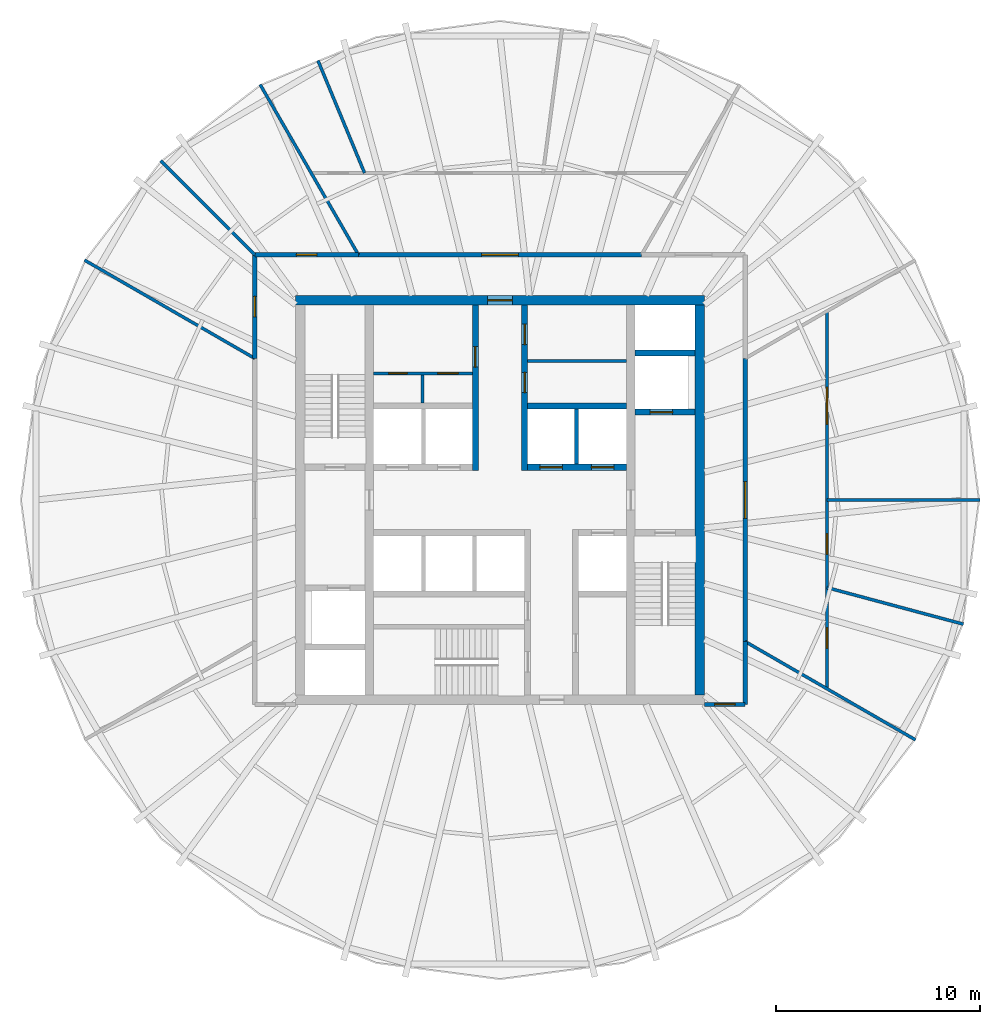
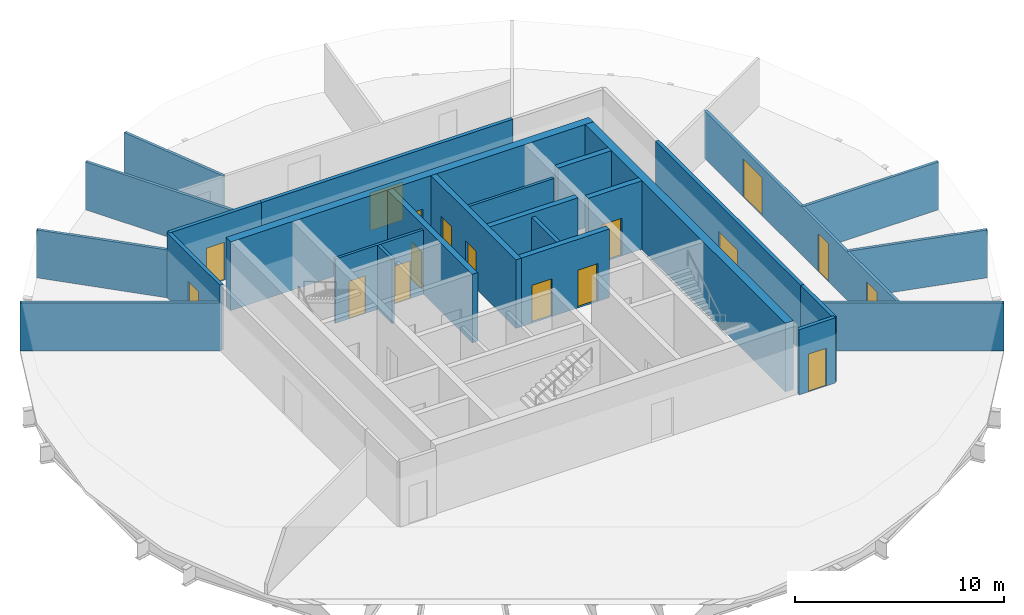
# One storey, part 4 of 6: 26 walls, 17 doors, 17 openings.
"""IFC4 building model written with IfcOpenShell, lengths in metres."""

from ifc_helpers import new_model, si_unit, direction, frame, frame_2d, origin, place, context, subcontext, project, spatial, rectangle, extrude, material, layer, layer_set, type_object, element, fill, save


model = new_model("IFC4")

# Units and contexts
model_context = context("Model", 3, precision=1e-05, world=origin(), true_north=direction((0.0, 1.0)))
body_context = subcontext(model_context, "Body", "Model", "MODEL_VIEW")
ifc_project = project(units=[si_unit("LENGTHUNIT", "METRE"), si_unit("AREAUNIT", "SQUARE_METRE"), si_unit("VOLUMEUNIT", "CUBIC_METRE"), si_unit("PLANEANGLEUNIT", "RADIAN"), si_unit("MASSUNIT", "GRAM", prefix="KILO")], contexts=[model_context])

# Site, building, storey
site_placement = place(None, origin())
site = spatial("IfcSite", under=ifc_project, at=site_placement, CompositionType="ELEMENT")
building_placement = place(site_placement, origin())
building = spatial("IfcBuilding", under=site, at=building_placement, Name="Golbaran Civic Tower", CompositionType="ELEMENT")
storey_placement = place(building_placement, frame((0.0, 0.0, 203.0)))
storey = spatial("IfcBuildingStorey", under=building, at=storey_placement, Name="L49", CompositionType="ELEMENT", Elevation=203.0)

# Wall
ifc_material_1 = material(Name="Concrete block", Category="concrete")
ifc_layer_1 = layer(ifc_material_1, 0.14990234375, Name="Concrete block")
ifc_layer_set_1 = layer_set([ifc_layer_1], Name="Concrete block")
wall_type_1 = type_object("IfcWallType", Name="BLOCKWORK PARTITION 150", PredefinedType="PARTITIONING", material=ifc_layer_set_1)
wall_1_placement = place(storey_placement, frame((1.35009765625, 6.800048828125, 0.0), z_axis=(0.0, 0.0, 1.0), x_axis=(1.0, 0.0, 0.0)))
element("IfcWall", 1, at=wall_1_placement, inside=storey, type_object=wall_type_1, Name="Toilet block partition TN1 L49", PredefinedType="PARTITIONING", context=body_context, shape_type="SweptSolid", body=[
    extrude(rectangle(XDim=4.849853515625, YDim=0.14990234375, at=frame_2d((2.4248046875, 0.0))), origin(), (0.0, 0.0, 1.0), 3.75),
])

# Wall, opening, door
ifc_material_2 = material(Name="Concrete C50/60", Category="concrete")
ifc_layer_2 = layer(ifc_material_2, 0.449951171875, Name="Concrete C50/60")
ifc_layer_set_2 = layer_set([ifc_layer_2], Name="Concrete C50/60")
wall_type_2 = type_object("IfcWallType", Name="CORE WALL CONCRETE 450", PredefinedType="SOLIDWALL", material=ifc_layer_set_2)
wall_2_placement = place(storey_placement, frame((-10.0, 9.77490234375, 0.0), z_axis=(0.0, 0.0, 1.0), x_axis=(1.0, 0.0, 0.0)))
wall_2 = element("IfcWall", 2, at=wall_2_placement, inside=storey, type_object=wall_type_2, Name="Core wall CN L49", PredefinedType="SOLIDWALL", context=body_context, shape_type="SweptSolid", body=[
    extrude(rectangle(XDim=20.0, YDim=0.449951171875, at=frame_2d((10.0, 0.0))), origin(), (0.0, 0.0, 1.0), 4.0),
])
opening_1_placement = place(wall_2_placement, frame((9.39990234375, 0.0, 0.0)))
opening_1 = element("IfcOpeningElement", 3, at=opening_1_placement, cuts=wall_2, Name="Opening L49.CN", PredefinedType="OPENING", context=body_context, shape_type="SweptSolid", body=[
    extrude(rectangle(XDim=1.199951171875, YDim=2.199951171875, at=frame_2d((0.60009765625, 1.10009765625))), frame((0.0, 0.23486328125, 0.0), z_axis=(0.0, -1.0, 0.0), x_axis=(1.0, 0.0, 0.0)), (0.0, 0.0, 1.0), 0.469970703125),
])
ifc_material_3 = material(Name="Timber door set in steel frame", Category="steel")
door_type_1 = type_object("IfcDoorType", Name="CORE DOOR 1200x2200", OperationType="DOUBLE_DOOR_SINGLE_SWING", PredefinedType="DOOR", material=ifc_material_3)
door_1_placement = place(opening_1_placement, origin())
door_1 = element("IfcDoor", 4, at=door_1_placement, inside=storey, type_object=door_type_1, Name="Core door north", OperationType="DOUBLE_DOOR_SINGLE_SWING", OverallHeight=2.199951171875, OverallWidth=1.199951171875, PredefinedType="DOOR", context=body_context, shape_type="SweptSolid", body=[
    extrude(rectangle(XDim=1.199951171875, YDim=2.199951171875, at=frame_2d((0.60009765625, 1.10009765625))), frame((0.0, 0.02490234375, 0.0), z_axis=(0.0, -1.0, 0.0), x_axis=(1.0, 0.0, 0.0)), (0.0, 0.0, 1.0), 0.050048828125),
])
fill(opening_1, door_1)

# Wall
wall_3_placement = place(storey_placement, frame((9.77490234375, -9.550048828125, 0.0), z_axis=(0.0, 0.0, 1.0), x_axis=(0.0, 1.0, 0.0)))
element("IfcWall", 5, at=wall_3_placement, inside=storey, type_object=wall_type_2, Name="Core wall CE L49", PredefinedType="SOLIDWALL", context=body_context, shape_type="SweptSolid", body=[
    extrude(rectangle(XDim=19.10009765625, YDim=0.449951171875, at=frame_2d((9.550048828125, 0.0))), origin(), (0.0, 0.0, 1.0), 4.0),
])

# Wall, opening, door
ifc_material_4 = material(Name="Gypsum board on steel studs, fire-rated", Category="steel")
ifc_layer_3 = layer(ifc_material_4, 0.199951171875, Name="Gypsum board on steel studs, fire-rated")
ifc_layer_set_3 = layer_set([ifc_layer_3], Name="Gypsum board on steel studs, fire-rated")
wall_type_3 = type_object("IfcWallType", Name="CORRIDOR WALL 200", PredefinedType="PARTITIONING", material=ifc_layer_set_3)
wall_4_placement = place(storey_placement, frame((12.0, -6.92822265625, 0.0), z_axis=(0.0, 0.0, 1.0), x_axis=(0.0, 1.0, 0.0)))
wall_4 = element("IfcWall", 6, at=wall_4_placement, inside=storey, type_object=wall_type_3, Name="Corridor wall L49", PredefinedType="PARTITIONING", context=body_context, shape_type="SweptSolid", body=[
    extrude(rectangle(XDim=13.8564453125, YDim=0.199951171875, at=frame_2d((6.92822265625, 0.0))), origin(), (0.0, 0.0, 1.0), 3.800048828125),
])
opening_2_placement = place(wall_4_placement, frame((6.0283203125, 0.0, 0.0)))
opening_2 = element("IfcOpeningElement", 7, at=opening_2_placement, cuts=wall_4, Name="Opening L49.07", PredefinedType="OPENING", context=body_context, shape_type="SweptSolid", body=[
    extrude(rectangle(XDim=1.800048828125, YDim=2.199951171875, at=frame_2d((0.89990234375, 1.10009765625))), frame((0.0, 0.10986328125, 0.0), z_axis=(0.0, -1.0, 0.0), x_axis=(1.0, 0.0, 0.0)), (0.0, 0.0, 1.0), 0.219970703125),
])
door_type_2 = type_object("IfcDoorType", Name="OFFICE DOUBLE DOOR 1800x2200", OperationType="DOUBLE_DOOR_SINGLE_SWING", PredefinedType="DOOR", material=ifc_material_3)
door_2_placement = place(opening_2_placement, origin())
door_2 = element("IfcDoor", 8, at=door_2_placement, inside=storey, type_object=door_type_2, Name="Open Office door L49", OperationType="DOUBLE_DOOR_SINGLE_SWING", OverallHeight=2.199951171875, OverallWidth=1.800048828125, PredefinedType="DOOR", context=body_context, shape_type="SweptSolid", body=[
    extrude(rectangle(XDim=1.800048828125, YDim=2.199951171875, at=frame_2d((0.89990234375, 1.10009765625))), frame((0.0, 0.02490234375, 0.0), z_axis=(0.0, -1.0, 0.0), x_axis=(1.0, 0.0, 0.0)), (0.0, 0.0, 1.0), 0.050048828125),
])
fill(opening_2, door_2)

wall_5_placement = place(storey_placement, frame((6.92822265625, 12.0, 0.0), z_axis=(0.0, 0.0, 1.0), x_axis=(-1.0, 0.0, 0.0)))
wall_5 = element("IfcWall", 9, at=wall_5_placement, inside=storey, type_object=wall_type_3, Name="Corridor wall L49", PredefinedType="PARTITIONING", context=body_context, shape_type="SweptSolid", body=[
    extrude(rectangle(XDim=13.8564453125, YDim=0.199951171875, at=frame_2d((6.92822265625, 0.0))), origin(), (0.0, 0.0, 1.0), 3.800048828125),
])
opening_3_placement = place(wall_5_placement, frame((6.0283203125, 0.0, 0.0)))
opening_3 = element("IfcOpeningElement", 10, at=opening_3_placement, cuts=wall_5, Name="Opening L49.09", PredefinedType="OPENING", context=body_context, shape_type="SweptSolid", body=[
    extrude(rectangle(XDim=1.800048828125, YDim=2.199951171875, at=frame_2d((0.89990234375, 1.10009765625))), frame((0.0, 0.10986328125, 0.0), z_axis=(0.0, -1.0, 0.0), x_axis=(1.0, 0.0, 0.0)), (0.0, 0.0, 1.0), 0.219970703125),
])
door_3_placement = place(opening_3_placement, origin())
door_3 = element("IfcDoor", 11, at=door_3_placement, inside=storey, type_object=door_type_2, Name="Secretariat door L49", OperationType="DOUBLE_DOOR_SINGLE_SWING", OverallHeight=2.199951171875, OverallWidth=1.800048828125, PredefinedType="DOOR", context=body_context, shape_type="SweptSolid", body=[
    extrude(rectangle(XDim=1.800048828125, YDim=2.199951171875, at=frame_2d((0.89990234375, 1.10009765625))), frame((0.0, 0.02490234375, 0.0), z_axis=(0.0, -1.0, 0.0), x_axis=(1.0, 0.0, 0.0)), (0.0, 0.0, 1.0), 0.050048828125),
])
fill(opening_3, door_3)

wall_6_placement = place(storey_placement, frame((-6.92822265625, 12.0, 0.0), z_axis=(0.0, 0.0, 1.0), x_axis=(-1.0, 0.0, 0.0)))
wall_6 = element("IfcWall", 12, at=wall_6_placement, inside=storey, type_object=wall_type_3, Name="Corridor wall L49", PredefinedType="PARTITIONING", context=body_context, shape_type="SweptSolid", body=[
    extrude(rectangle(XDim=5.07177734375, YDim=0.199951171875, at=frame_2d((2.535888671875, 0.0))), origin(), (0.0, 0.0, 1.0), 3.800048828125),
])
opening_4_placement = place(wall_6_placement, frame((2.035888671875, 0.0, 0.0)))
opening_4 = element("IfcOpeningElement", 13, at=opening_4_placement, cuts=wall_6, Name="Opening L49.10", PredefinedType="OPENING", context=body_context, shape_type="SweptSolid", body=[
    extrude(rectangle(XDim=1.0, YDim=2.199951171875, at=frame_2d((0.5, 1.10009765625))), frame((0.0, 0.10986328125, 0.0), z_axis=(0.0, -1.0, 0.0), x_axis=(1.0, 0.0, 0.0)), (0.0, 0.0, 1.0), 0.219970703125),
])
door_type_3 = type_object("IfcDoorType", Name="OFFICE DOOR 1000x2200", OperationType="SINGLE_SWING_LEFT", PredefinedType="DOOR", material=ifc_material_3)
door_4_placement = place(opening_4_placement, origin())
door_4 = element("IfcDoor", 14, at=door_4_placement, inside=storey, type_object=door_type_3, Name="Office door L49", OperationType="SINGLE_SWING_RIGHT", OverallHeight=2.199951171875, OverallWidth=1.0, PredefinedType="DOOR", context=body_context, shape_type="SweptSolid", body=[
    extrude(rectangle(XDim=1.0, YDim=2.199951171875, at=frame_2d((0.5, 1.10009765625))), frame((0.0, 0.02490234375, 0.0), z_axis=(0.0, -1.0, 0.0), x_axis=(1.0, 0.0, 0.0)), (0.0, 0.0, 1.0), 0.050048828125),
])
fill(opening_4, door_4)

wall_7_placement = place(storey_placement, frame((-12.0, 12.0, 0.0), z_axis=(0.0, 0.0, 1.0), x_axis=(0.0, -1.0, 0.0)))
wall_7 = element("IfcWall", 15, at=wall_7_placement, inside=storey, type_object=wall_type_3, Name="Corridor wall L49", PredefinedType="PARTITIONING", context=body_context, shape_type="SweptSolid", body=[
    extrude(rectangle(XDim=5.07177734375, YDim=0.199951171875, at=frame_2d((2.535888671875, 0.0))), origin(), (0.0, 0.0, 1.0), 3.800048828125),
])
opening_5_placement = place(wall_7_placement, frame((2.035888671875, 0.0, 0.0)))
opening_5 = element("IfcOpeningElement", 16, at=opening_5_placement, cuts=wall_7, Name="Opening L49.11", PredefinedType="OPENING", context=body_context, shape_type="SweptSolid", body=[
    extrude(rectangle(XDim=1.0, YDim=2.199951171875, at=frame_2d((0.5, 1.10009765625))), frame((0.0, 0.10986328125, 0.0), z_axis=(0.0, -1.0, 0.0), x_axis=(1.0, 0.0, 0.0)), (0.0, 0.0, 1.0), 0.219970703125),
])
door_5_placement = place(opening_5_placement, origin())
door_5 = element("IfcDoor", 17, at=door_5_placement, inside=storey, type_object=door_type_3, Name="Store door L49", OperationType="SINGLE_SWING_RIGHT", OverallHeight=2.199951171875, OverallWidth=1.0, PredefinedType="DOOR", context=body_context, shape_type="SweptSolid", body=[
    extrude(rectangle(XDim=1.0, YDim=2.199951171875, at=frame_2d((0.5, 1.10009765625))), frame((0.0, 0.02490234375, 0.0), z_axis=(0.0, -1.0, 0.0), x_axis=(1.0, 0.0, 0.0)), (0.0, 0.0, 1.0), 0.050048828125),
])
fill(opening_5, door_5)

# Wall
wall_8_placement = place(storey_placement, frame((12.0, -10.0, 0.0), z_axis=(0.0, 0.0, 1.0), x_axis=(0.0, 1.0, 0.0)))
element("IfcWall", 18, at=wall_8_placement, inside=storey, type_object=wall_type_3, Name="Corridor wall L49", PredefinedType="PARTITIONING", context=body_context, shape_type="SweptSolid", body=[
    extrude(rectangle(XDim=3.07177734375, YDim=0.199951171875, at=frame_2d((1.535888671875, 0.0))), origin(), (0.0, 0.0, 1.0), 3.800048828125),
])

# Wall, opening, door
wall_9_placement = place(storey_placement, frame((10.0, -10.0, 0.0), z_axis=(0.0, 0.0, 1.0), x_axis=(1.0, 0.0, 0.0)))
wall_9 = element("IfcWall", 19, at=wall_9_placement, inside=storey, type_object=wall_type_3, Name="Corridor end wall L49", PredefinedType="PARTITIONING", context=body_context, shape_type="SweptSolid", body=[
    extrude(rectangle(XDim=2.0, YDim=0.199951171875, at=frame_2d((1.0, 0.0))), origin(), (0.0, 0.0, 1.0), 3.800048828125),
])
opening_6_placement = place(wall_9_placement, frame((0.5, 0.0, 0.0)))
opening_6 = element("IfcOpeningElement", 20, at=opening_6_placement, cuts=wall_9, Name="Opening L49.15", PredefinedType="OPENING", context=body_context, shape_type="SweptSolid", body=[
    extrude(rectangle(XDim=1.0, YDim=2.199951171875, at=frame_2d((0.5, 1.10009765625))), frame((0.0, 0.10986328125, 0.0), z_axis=(0.0, -1.0, 0.0), x_axis=(1.0, 0.0, 0.0)), (0.0, 0.0, 1.0), 0.219970703125),
])
door_6_placement = place(opening_6_placement, origin())
door_6 = element("IfcDoor", 21, at=door_6_placement, inside=storey, type_object=door_type_3, Name="Open Office door L49", OperationType="SINGLE_SWING_LEFT", OverallHeight=2.199951171875, OverallWidth=1.0, PredefinedType="DOOR", context=body_context, shape_type="SweptSolid", body=[
    extrude(rectangle(XDim=1.0, YDim=2.199951171875, at=frame_2d((0.5, 1.10009765625))), frame((0.0, 0.02490234375, 0.0), z_axis=(0.0, -1.0, 0.0), x_axis=(1.0, 0.0, 0.0)), (0.0, 0.0, 1.0), 0.050048828125),
])
fill(opening_6, door_6)

# Walls
ifc_layer_4 = layer(ifc_material_1, 0.199951171875, Name="Concrete block")
ifc_layer_set_4 = layer_set([ifc_layer_4], Name="Concrete block")
wall_type_4 = type_object("IfcWallType", Name="LIFT SEPARATOR WALL 200", PredefinedType="SOLIDWALL", material=ifc_layer_set_4)
wall_10_placement = place(storey_placement, frame((3.75, 1.75, 0.0), z_axis=(0.0, 0.0, 1.0), x_axis=(0.0, 1.0, 0.0)))
element("IfcWall", 22, at=wall_10_placement, inside=storey, type_object=wall_type_4, Name="Core partition SNE L49", PredefinedType="SOLIDWALL", context=body_context, shape_type="SweptSolid", body=[
    extrude(rectangle(XDim=2.699951171875, YDim=0.199951171875, at=frame_2d((1.35009765625, 0.0))), origin(), (0.0, 0.0, 1.0), 3.75),
])
ifc_material_5 = material(Name="Gypsum board on steel studs", Category="steel")
ifc_layer_5 = layer(ifc_material_5, 0.14990234375, Name="Gypsum board on steel studs")
ifc_layer_set_5 = layer_set([ifc_layer_5], Name="Gypsum board on steel studs")
wall_type_5 = type_object("IfcWallType", Name="OFFICE PARTITION 150", PredefinedType="PARTITIONING", material=ifc_layer_set_5)
for number, where, z_axis, x_axis, name in (
    (23, (12.0, -6.92822265625, 0.0), (0.0, 0.0, 1.0), (0.866030904871, -0.499990471717, 0.0), "Partition 330 L49"),
    (24, (-6.92822265625, 12.0, 0.0), (0.0, 0.0, 1.0), (-0.499990471717, 0.866030904871, 0.0), "Partition 120 L49"),
):
    element("IfcWall", number, at=place(storey_placement, frame(where, z_axis=z_axis, x_axis=x_axis)), inside=storey, type_object=wall_type_5, Name=name, PredefinedType="PARTITIONING", context=body_context, shape_type="SweptSolid", body=[
        extrude(rectangle(XDim=9.619873046875, YDim=0.14990234375, at=frame_2d((4.81005859375, 0.0))), origin(), (0.0, 0.0, 1.0), 2.7900390625),
    ])
wall_11_placement = place(storey_placement, frame((-12.0, 12.0, 0.0), z_axis=(0.0, 0.0, 1.0), x_axis=(-0.707106781187, 0.707106781187, 0.0)))
element("IfcWall", 25, at=wall_11_placement, inside=storey, type_object=wall_type_5, Name="Partition 135 L49", PredefinedType="PARTITIONING", context=body_context, shape_type="SweptSolid", body=[
    extrude(rectangle(XDim=6.505615234375, YDim=0.14990234375, at=frame_2d((3.2529296875, 0.0))), origin(), (0.0, 0.0, 1.0), 2.7900390625),
])
wall_12_placement = place(storey_placement, frame((-12.0, 6.92822265625, 0.0), z_axis=(0.0, 0.0, 1.0), x_axis=(-0.866030904871, 0.499990471717, 0.0)))
element("IfcWall", 26, at=wall_12_placement, inside=storey, type_object=wall_type_5, Name="Partition 150 L49", PredefinedType="PARTITIONING", context=body_context, shape_type="SweptSolid", body=[
    extrude(rectangle(XDim=9.619873046875, YDim=0.14990234375, at=frame_2d((4.81005859375, 0.0))), origin(), (0.0, 0.0, 1.0), 2.7900390625),
])

# Wall, openings, doors
wall_13_placement = place(storey_placement, frame((16.0, -9.237548828125, 0.0), z_axis=(0.0, 0.0, 1.0), x_axis=(0.0, 1.0, 0.0)))
wall_13 = element("IfcWall", 27, at=wall_13_placement, inside=storey, type_object=wall_type_5, Name="Suite partition L49", PredefinedType="PARTITIONING", context=body_context, shape_type="SweptSolid", body=[
    extrude(rectangle(XDim=18.47509765625, YDim=0.14990234375, at=frame_2d((9.237548828125, 0.0))), origin(), (0.0, 0.0, 1.0), 2.7900390625),
])
opening_7_placement = place(wall_13_placement, frame((1.97509765625, 0.0, 0.0)))
opening_7 = element("IfcOpeningElement", 28, at=opening_7_placement, cuts=wall_13, Name="Opening L49.01", PredefinedType="OPENING", context=body_context, shape_type="SweptSolid", body=[
    extrude(rectangle(XDim=1.0, YDim=2.199951171875, at=frame_2d((0.5, 1.10009765625))), frame((0.0, 0.0849609375, 0.0), z_axis=(0.0, -1.0, 0.0), x_axis=(1.0, 0.0, 0.0)), (0.0, 0.0, 1.0), 0.169921875),
])
opening_8_placement = place(wall_13_placement, frame((6.593994140625, 0.0, 0.0)))
opening_8 = element("IfcOpeningElement", 29, at=opening_8_placement, cuts=wall_13, Name="Opening L49.02", PredefinedType="OPENING", context=body_context, shape_type="SweptSolid", body=[
    extrude(rectangle(XDim=1.0, YDim=2.199951171875, at=frame_2d((0.5, 1.10009765625))), frame((0.0, 0.0849609375, 0.0), z_axis=(0.0, -1.0, 0.0), x_axis=(1.0, 0.0, 0.0)), (0.0, 0.0, 1.0), 0.169921875),
])
opening_9_placement = place(wall_13_placement, frame((12.956298828125, 0.0, 0.0)))
opening_9 = element("IfcOpeningElement", 30, at=opening_9_placement, cuts=wall_13, Name="Opening L49.03", PredefinedType="OPENING", context=body_context, shape_type="SweptSolid", body=[
    extrude(rectangle(XDim=1.800048828125, YDim=2.199951171875, at=frame_2d((0.89990234375, 1.10009765625))), frame((0.0, 0.0849609375, 0.0), z_axis=(0.0, -1.0, 0.0), x_axis=(1.0, 0.0, 0.0)), (0.0, 0.0, 1.0), 0.169921875),
])
door_7_placement = place(opening_7_placement, origin())
door_7 = element("IfcDoor", 31, at=door_7_placement, inside=storey, type_object=door_type_3, Name="Office door L49", OperationType="SINGLE_SWING_LEFT", OverallHeight=2.199951171875, OverallWidth=1.0, PredefinedType="DOOR", context=body_context, shape_type="SweptSolid", body=[
    extrude(rectangle(XDim=1.0, YDim=2.199951171875, at=frame_2d((0.5, 1.10009765625))), frame((0.0, 0.02490234375, 0.0), z_axis=(0.0, -1.0, 0.0), x_axis=(1.0, 0.0, 0.0)), (0.0, 0.0, 1.0), 0.050048828125),
])
fill(opening_7, door_7)
door_8_placement = place(opening_8_placement, origin())
door_8 = element("IfcDoor", 32, at=door_8_placement, inside=storey, type_object=door_type_3, Name="Office door L49", OperationType="SINGLE_SWING_LEFT", OverallHeight=2.199951171875, OverallWidth=1.0, PredefinedType="DOOR", context=body_context, shape_type="SweptSolid", body=[
    extrude(rectangle(XDim=1.0, YDim=2.199951171875, at=frame_2d((0.5, 1.10009765625))), frame((0.0, 0.02490234375, 0.0), z_axis=(0.0, -1.0, 0.0), x_axis=(1.0, 0.0, 0.0)), (0.0, 0.0, 1.0), 0.050048828125),
])
fill(opening_8, door_8)
door_9_placement = place(opening_9_placement, origin())
door_9 = element("IfcDoor", 33, at=door_9_placement, inside=storey, type_object=door_type_2, Name="Meeting Room door L49", OperationType="DOUBLE_DOOR_SINGLE_SWING", OverallHeight=2.199951171875, OverallWidth=1.800048828125, PredefinedType="DOOR", context=body_context, shape_type="SweptSolid", body=[
    extrude(rectangle(XDim=1.800048828125, YDim=2.199951171875, at=frame_2d((0.89990234375, 1.10009765625))), frame((0.0, 0.02490234375, 0.0), z_axis=(0.0, -1.0, 0.0), x_axis=(1.0, 0.0, 0.0)), (0.0, 0.0, 1.0), 0.050048828125),
])
fill(opening_9, door_9)

# Walls
wall_14_placement = place(storey_placement, frame((16.0, -4.287109375, 0.0), z_axis=(0.0, 0.0, 1.0), x_axis=(0.965919985666, -0.258840841621, 0.0)))
element("IfcWall", 34, at=wall_14_placement, inside=storey, type_object=wall_type_5, Name="Partition 345 L49", PredefinedType="PARTITIONING", context=body_context, shape_type="SweptSolid", body=[
    extrude(rectangle(XDim=6.911865234375, YDim=0.14990234375, at=frame_2d((3.4560546875, 0.0))), origin(), (0.0, 0.0, 1.0), 2.7900390625),
])
wall_15_placement = place(storey_placement, frame((16.0, 0.0, 0.0), z_axis=(0.0, 0.0, 1.0), x_axis=(1.0, 0.0, 0.0)))
element("IfcWall", 35, at=wall_15_placement, inside=storey, type_object=wall_type_5, Name="Partition 0 L49", PredefinedType="PARTITIONING", context=body_context, shape_type="SweptSolid", body=[
    extrude(rectangle(XDim=7.476318359375, YDim=0.14990234375, at=frame_2d((3.73828125, 0.0))), origin(), (0.0, 0.0, 1.0), 2.7900390625),
])
wall_16_placement = place(storey_placement, frame((-6.62744140625, 16.0, 0.0), z_axis=(0.0, 0.0, 1.0), x_axis=(-0.382661871878, 0.923888462863, 0.0)))
element("IfcWall", 36, at=wall_16_placement, inside=storey, type_object=wall_type_5, Name="Partition 112.5 L49", PredefinedType="PARTITIONING", context=body_context, shape_type="SweptSolid", body=[
    extrude(rectangle(XDim=5.95703125, YDim=0.14990234375, at=frame_2d((2.978515625, 0.0))), origin(), (0.0, 0.0, 1.0), 2.7900390625),
])

# Wall, openings, doors
ifc_layer_6 = layer(ifc_material_2, 0.300048828125, Name="Concrete C50/60")
ifc_layer_set_6 = layer_set([ifc_layer_6], Name="Concrete C50/60")
wall_type_6 = type_object("IfcWallType", Name="SHAFT WALL CONCRETE 300", PredefinedType="SOLIDWALL", material=ifc_layer_set_6)
wall_17_placement = place(storey_placement, frame((1.35009765625, 1.60009765625, 0.0), z_axis=(0.0, 0.0, 1.0), x_axis=(1.0, 0.0, 0.0)))
wall_17 = element("IfcWall", 37, at=wall_17_placement, inside=storey, type_object=wall_type_6, Name="Core wall FNE L49", PredefinedType="SOLIDWALL", context=body_context, shape_type="SweptSolid", body=[
    extrude(rectangle(XDim=4.849853515625, YDim=0.300048828125, at=frame_2d((2.4248046875, 0.0))), origin(), (0.0, 0.0, 1.0), 4.0),
])
opening_10_placement = place(wall_17_placement, frame((0.60009765625, 0.0, 0.0)))
opening_10 = element("IfcOpeningElement", 38, at=opening_10_placement, cuts=wall_17, Name="Opening L49.LD-Z3H", PredefinedType="OPENING", context=body_context, shape_type="SweptSolid", body=[
    extrude(rectangle(XDim=1.10009765625, YDim=2.199951171875, at=frame_2d((0.550048828125, 1.10009765625))), frame((0.0, 0.159912109375, 0.0), z_axis=(0.0, -1.0, 0.0), x_axis=(1.0, 0.0, 0.0)), (0.0, 0.0, 1.0), 0.320068359375),
])
opening_11_placement = place(wall_17_placement, frame((3.125, 0.0, 0.0)))
opening_11 = element("IfcOpeningElement", 39, at=opening_11_placement, cuts=wall_17, Name="Opening L49.LD-Z4H", PredefinedType="OPENING", context=body_context, shape_type="SweptSolid", body=[
    extrude(rectangle(XDim=1.10009765625, YDim=2.199951171875, at=frame_2d((0.550048828125, 1.10009765625))), frame((0.0, 0.159912109375, 0.0), z_axis=(0.0, -1.0, 0.0), x_axis=(1.0, 0.0, 0.0)), (0.0, 0.0, 1.0), 0.320068359375),
])
ifc_material_6 = material(Name="Stainless steel", Category="steel")
door_type_4 = type_object("IfcDoorType", Name="LIFT LANDING DOOR 1100x2200", OperationType="SLIDING_TO_LEFT", PredefinedType="DOOR", material=ifc_material_6)
door_10_placement = place(opening_10_placement, origin())
door_10 = element("IfcDoor", 40, at=door_10_placement, inside=storey, type_object=door_type_4, Name="Lift landing door Z3H", OperationType="SLIDING_TO_LEFT", OverallHeight=2.199951171875, OverallWidth=1.10009765625, PredefinedType="DOOR", context=body_context, shape_type="SweptSolid", body=[
    extrude(rectangle(XDim=1.10009765625, YDim=2.199951171875, at=frame_2d((0.550048828125, 1.10009765625))), frame((0.0, 0.02490234375, 0.0), z_axis=(0.0, -1.0, 0.0), x_axis=(1.0, 0.0, 0.0)), (0.0, 0.0, 1.0), 0.050048828125),
])
fill(opening_10, door_10)
door_11_placement = place(opening_11_placement, origin())
door_11 = element("IfcDoor", 41, at=door_11_placement, inside=storey, type_object=door_type_4, Name="Lift landing door Z4H", OperationType="SLIDING_TO_LEFT", OverallHeight=2.199951171875, OverallWidth=1.10009765625, PredefinedType="DOOR", context=body_context, shape_type="SweptSolid", body=[
    extrude(rectangle(XDim=1.10009765625, YDim=2.199951171875, at=frame_2d((0.550048828125, 1.10009765625))), frame((0.0, 0.02490234375, 0.0), z_axis=(0.0, -1.0, 0.0), x_axis=(1.0, 0.0, 0.0)), (0.0, 0.0, 1.0), 0.050048828125),
])
fill(opening_11, door_11)

# Wall
wall_18_placement = place(storey_placement, frame((1.35009765625, 4.60009765625, 0.0), z_axis=(0.0, 0.0, 1.0), x_axis=(1.0, 0.0, 0.0)))
element("IfcWall", 42, at=wall_18_placement, inside=storey, type_object=wall_type_6, Name="Core wall BNE L49", PredefinedType="SOLIDWALL", context=body_context, shape_type="SweptSolid", body=[
    extrude(rectangle(XDim=4.849853515625, YDim=0.300048828125, at=frame_2d((2.4248046875, 0.0))), origin(), (0.0, 0.0, 1.0), 4.0),
])

# Wall, opening, door
wall_19_placement = place(storey_placement, frame((-1.199951171875, 1.449951171875, 0.0), z_axis=(0.0, 0.0, 1.0), x_axis=(0.0, 1.0, 0.0)))
wall_19 = element("IfcWall", 43, at=wall_19_placement, inside=storey, type_object=wall_type_6, Name="Core wall PNW L49", PredefinedType="SOLIDWALL", context=body_context, shape_type="SweptSolid", body=[
    extrude(rectangle(XDim=8.10009765625, YDim=0.300048828125, at=frame_2d((4.050048828125, 0.0))), origin(), (0.0, 0.0, 1.0), 4.0),
])
opening_12_placement = place(wall_19_placement, frame((5.050048828125, 0.0, 0.0)))
opening_12 = element("IfcOpeningElement", 44, at=opening_12_placement, cuts=wall_19, Name="Opening L49.WCM", PredefinedType="OPENING", context=body_context, shape_type="SweptSolid", body=[
    extrude(rectangle(XDim=1.0, YDim=2.199951171875, at=frame_2d((0.5, 1.10009765625))), frame((0.0, 0.159912109375, 0.0), z_axis=(0.0, -1.0, 0.0), x_axis=(1.0, 0.0, 0.0)), (0.0, 0.0, 1.0), 0.320068359375),
])
door_type_5 = type_object("IfcDoorType", Name="TOILET DOOR 1000x2200", OperationType="SINGLE_SWING_LEFT", PredefinedType="DOOR", material=ifc_material_3)
door_12_placement = place(opening_12_placement, origin())
door_12 = element("IfcDoor", 45, at=door_12_placement, inside=storey, type_object=door_type_5, Name="North-west toilet block door", OperationType="SINGLE_SWING_RIGHT", OverallHeight=2.199951171875, OverallWidth=1.0, PredefinedType="DOOR", context=body_context, shape_type="SweptSolid", body=[
    extrude(rectangle(XDim=1.0, YDim=2.199951171875, at=frame_2d((0.5, 1.10009765625))), frame((0.0, 0.02490234375, 0.0), z_axis=(0.0, -1.0, 0.0), x_axis=(1.0, 0.0, 0.0)), (0.0, 0.0, 1.0), 0.050048828125),
])
fill(opening_12, door_12)

# Wall, openings, doors
wall_20_placement = place(storey_placement, frame((1.199951171875, 1.449951171875, 0.0), z_axis=(0.0, 0.0, 1.0), x_axis=(0.0, 1.0, 0.0)))
wall_20 = element("IfcWall", 46, at=wall_20_placement, inside=storey, type_object=wall_type_6, Name="Core wall PNE L49", PredefinedType="SOLIDWALL", context=body_context, shape_type="SweptSolid", body=[
    extrude(rectangle(XDim=8.10009765625, YDim=0.300048828125, at=frame_2d((4.050048828125, 0.0))), origin(), (0.0, 0.0, 1.0), 4.0),
])
opening_13_placement = place(wall_20_placement, frame((3.800048828125, 0.0, 0.0)))
opening_13 = element("IfcOpeningElement", 47, at=opening_13_placement, cuts=wall_20, Name="Opening L49.WCA", PredefinedType="OPENING", context=body_context, shape_type="SweptSolid", body=[
    extrude(rectangle(XDim=1.0, YDim=2.199951171875, at=frame_2d((0.5, 1.10009765625))), frame((0.0, 0.159912109375, 0.0), z_axis=(0.0, -1.0, 0.0), x_axis=(1.0, 0.0, 0.0)), (0.0, 0.0, 1.0), 0.320068359375),
])
opening_14_placement = place(wall_20_placement, frame((6.14990234375, 0.0, 0.0)))
opening_14 = element("IfcOpeningElement", 48, at=opening_14_placement, cuts=wall_20, Name="Opening L49.WCF", PredefinedType="OPENING", context=body_context, shape_type="SweptSolid", body=[
    extrude(rectangle(XDim=1.0, YDim=2.199951171875, at=frame_2d((0.5, 1.10009765625))), frame((0.0, 0.159912109375, 0.0), z_axis=(0.0, -1.0, 0.0), x_axis=(1.0, 0.0, 0.0)), (0.0, 0.0, 1.0), 0.320068359375),
])
door_13_placement = place(opening_13_placement, origin())
door_13 = element("IfcDoor", 49, at=door_13_placement, inside=storey, type_object=door_type_5, Name="Accessible WC door", OperationType="SINGLE_SWING_RIGHT", OverallHeight=2.199951171875, OverallWidth=1.0, PredefinedType="DOOR", context=body_context, shape_type="SweptSolid", body=[
    extrude(rectangle(XDim=1.0, YDim=2.199951171875, at=frame_2d((0.5, 1.10009765625))), frame((0.0, 0.02490234375, 0.0), z_axis=(0.0, -1.0, 0.0), x_axis=(1.0, 0.0, 0.0)), (0.0, 0.0, 1.0), 0.050048828125),
])
fill(opening_13, door_13)
door_14_placement = place(opening_14_placement, origin())
door_14 = element("IfcDoor", 50, at=door_14_placement, inside=storey, type_object=door_type_5, Name="North-east toilet block door", OperationType="SINGLE_SWING_RIGHT", OverallHeight=2.199951171875, OverallWidth=1.0, PredefinedType="DOOR", context=body_context, shape_type="SweptSolid", body=[
    extrude(rectangle(XDim=1.0, YDim=2.199951171875, at=frame_2d((0.5, 1.10009765625))), frame((0.0, 0.02490234375, 0.0), z_axis=(0.0, -1.0, 0.0), x_axis=(1.0, 0.0, 0.0)), (0.0, 0.0, 1.0), 0.050048828125),
])
fill(opening_14, door_14)

# Wall, opening, door
wall_21_placement = place(storey_placement, frame((6.60009765625, 4.300048828125, 0.0), z_axis=(0.0, 0.0, 1.0), x_axis=(1.0, 0.0, 0.0)))
wall_21 = element("IfcWall", 51, at=wall_21_placement, inside=storey, type_object=wall_type_6, Name="Core wall XE2 L49", PredefinedType="SOLIDWALL", context=body_context, shape_type="SweptSolid", body=[
    extrude(rectangle(XDim=2.949951171875, YDim=0.300048828125, at=frame_2d((1.47509765625, 0.0))), origin(), (0.0, 0.0, 1.0), 4.0),
])
opening_15_placement = place(wall_21_placement, frame((0.75, 0.0, 0.0)))
opening_15 = element("IfcOpeningElement", 52, at=opening_15_placement, cuts=wall_21, Name="Opening L49.LD-F2", PredefinedType="OPENING", context=body_context, shape_type="SweptSolid", body=[
    extrude(rectangle(XDim=1.10009765625, YDim=2.199951171875, at=frame_2d((0.550048828125, 1.10009765625))), frame((0.0, 0.159912109375, 0.0), z_axis=(0.0, -1.0, 0.0), x_axis=(1.0, 0.0, 0.0)), (0.0, 0.0, 1.0), 0.320068359375),
])
door_15_placement = place(opening_15_placement, origin())
door_15 = element("IfcDoor", 53, at=door_15_placement, inside=storey, type_object=door_type_4, Name="Lift landing door F2", OperationType="SLIDING_TO_LEFT", OverallHeight=2.199951171875, OverallWidth=1.10009765625, PredefinedType="DOOR", context=body_context, shape_type="SweptSolid", body=[
    extrude(rectangle(XDim=1.10009765625, YDim=2.199951171875, at=frame_2d((0.550048828125, 1.10009765625))), frame((0.0, 0.02490234375, 0.0), z_axis=(0.0, -1.0, 0.0), x_axis=(1.0, 0.0, 0.0)), (0.0, 0.0, 1.0), 0.050048828125),
])
fill(opening_15, door_15)

# Wall
wall_22_placement = place(storey_placement, frame((6.60009765625, 7.199951171875, 0.0), z_axis=(0.0, 0.0, 1.0), x_axis=(1.0, 0.0, 0.0)))
element("IfcWall", 54, at=wall_22_placement, inside=storey, type_object=wall_type_6, Name="Core wall XE3 L49", PredefinedType="SOLIDWALL", context=body_context, shape_type="SweptSolid", body=[
    extrude(rectangle(XDim=2.949951171875, YDim=0.300048828125, at=frame_2d((1.47509765625, 0.0))), origin(), (0.0, 0.0, 1.0), 4.0),
])

# Wall, openings, doors
ifc_material_7 = material(Name="Moisture-resistant gypsum board on steel studs", Category="steel")
ifc_layer_7 = layer(ifc_material_7, 0.14990234375, Name="Moisture-resistant gypsum board on steel studs")
ifc_layer_set_7 = layer_set([ifc_layer_7], Name="Moisture-resistant gypsum board on steel studs")
wall_type_7 = type_object("IfcWallType", Name="TOILET BLOCK PARTITION 150", PredefinedType="PARTITIONING", material=ifc_layer_set_7)
wall_23_placement = place(storey_placement, frame((-6.199951171875, 6.199951171875, 0.0), z_axis=(0.0, 0.0, 1.0), x_axis=(1.0, 0.0, 0.0)))
wall_23 = element("IfcWall", 55, at=wall_23_placement, inside=storey, type_object=wall_type_7, Name="Toilet block partition MSH L49", PredefinedType="PARTITIONING", context=body_context, shape_type="SweptSolid", body=[
    extrude(rectangle(XDim=4.849853515625, YDim=0.14990234375, at=frame_2d((2.4248046875, 0.0))), origin(), (0.0, 0.0, 1.0), 3.75),
])
opening_16_placement = place(wall_23_placement, frame((3.14990234375, 0.0, 0.0)))
opening_16 = element("IfcOpeningElement", 56, at=opening_16_placement, cuts=wall_23, Name="Opening L49.13", PredefinedType="OPENING", context=body_context, shape_type="SweptSolid", body=[
    extrude(rectangle(XDim=1.0, YDim=2.199951171875, at=frame_2d((0.5, 1.10009765625))), frame((0.0, 0.0849609375, 0.0), z_axis=(0.0, -1.0, 0.0), x_axis=(1.0, 0.0, 0.0)), (0.0, 0.0, 1.0), 0.169921875),
])
opening_17_placement = place(wall_23_placement, frame((0.75, 0.0, 0.0)))
opening_17 = element("IfcOpeningElement", 57, at=opening_17_placement, cuts=wall_23, Name="Opening L49.14", PredefinedType="OPENING", context=body_context, shape_type="SweptSolid", body=[
    extrude(rectangle(XDim=0.89990234375, YDim=2.199951171875, at=frame_2d((0.449951171875, 1.10009765625))), frame((0.0, 0.0849609375, 0.0), z_axis=(0.0, -1.0, 0.0), x_axis=(1.0, 0.0, 0.0)), (0.0, 0.0, 1.0), 0.169921875),
])
door_type_6 = type_object("IfcDoorType", Name="RISER DOOR 900x2200", OperationType="SINGLE_SWING_LEFT", PredefinedType="DOOR", material=ifc_material_3)
door_16_placement = place(opening_17_placement, origin())
door_16 = element("IfcDoor", 58, at=door_16_placement, inside=storey, type_object=door_type_6, Name="Cleaner's store door", OperationType="SINGLE_SWING_LEFT", OverallHeight=2.199951171875, OverallWidth=0.89990234375, PredefinedType="DOOR", context=body_context, shape_type="SweptSolid", body=[
    extrude(rectangle(XDim=0.89990234375, YDim=2.199951171875, at=frame_2d((0.449951171875, 1.10009765625))), frame((0.0, 0.02490234375, 0.0), z_axis=(0.0, -1.0, 0.0), x_axis=(1.0, 0.0, 0.0)), (0.0, 0.0, 1.0), 0.050048828125),
])
fill(opening_17, door_16)
door_17_placement = place(opening_16_placement, origin())
door_17 = element("IfcDoor", 59, at=door_17_placement, inside=storey, type_object=door_type_5, Name="Male shower room door", OperationType="SINGLE_SWING_RIGHT", OverallHeight=2.199951171875, OverallWidth=1.0, PredefinedType="DOOR", context=body_context, shape_type="SweptSolid", body=[
    extrude(rectangle(XDim=1.0, YDim=2.199951171875, at=frame_2d((0.5, 1.10009765625))), frame((0.0, 0.02490234375, 0.0), z_axis=(0.0, -1.0, 0.0), x_axis=(1.0, 0.0, 0.0)), (0.0, 0.0, 1.0), 0.050048828125),
])
fill(opening_16, door_17)

# Wall
wall_24_placement = place(storey_placement, frame((-3.800048828125, 4.75, 0.0), z_axis=(0.0, 0.0, 1.0), x_axis=(0.0, 1.0, 0.0)))
element("IfcWall", 60, at=wall_24_placement, inside=storey, type_object=wall_type_7, Name="Toilet block partition MST L49", PredefinedType="PARTITIONING", context=body_context, shape_type="SweptSolid", body=[
    extrude(rectangle(XDim=1.375, YDim=0.14990234375, at=frame_2d((0.6875, 0.0))), origin(), (0.0, 0.0, 1.0), 3.75),
])

save(model, "model.ifc")
